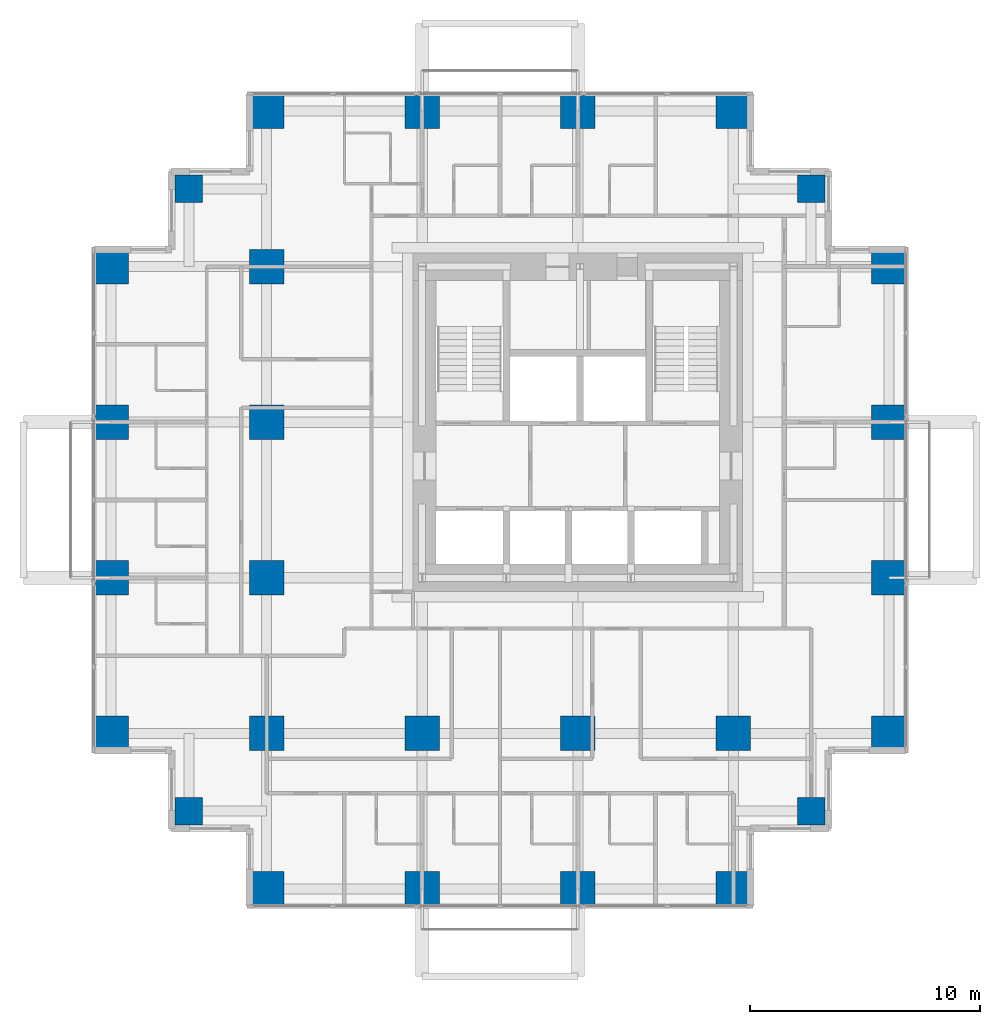
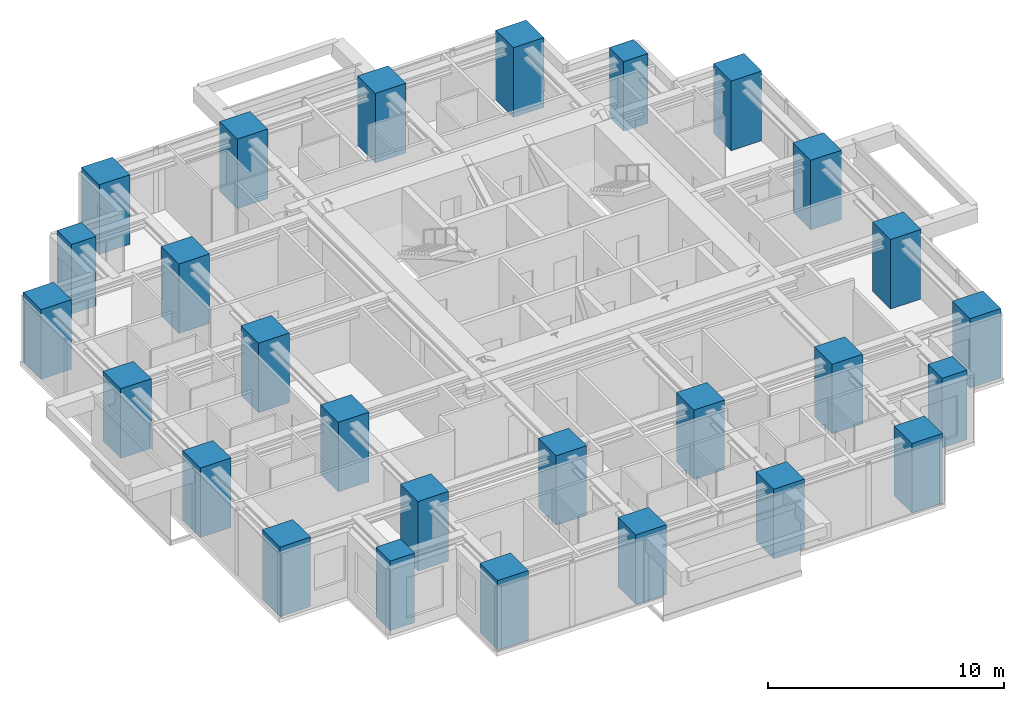
# One storey, part 1 of 11: 27 columns.
"""IFC4 building model written with IfcOpenShell, lengths in metres."""

from ifc_helpers import new_model, si_unit, direction, frame, origin, origin_2d, place, context, subcontext, project, spatial, rectangle, extrude, material, material_profile, profile_set, type_object, element, save


model = new_model("IFC4")

# Units and contexts
model_context = context("Model", 3, precision=1e-05, world=origin(), true_north=direction((0.0, 1.0)))
body_context = subcontext(model_context, "Body", "Model", "MODEL_VIEW")
ifc_project = project(units=[si_unit("LENGTHUNIT", "METRE"), si_unit("AREAUNIT", "SQUARE_METRE"), si_unit("VOLUMEUNIT", "CUBIC_METRE"), si_unit("PLANEANGLEUNIT", "RADIAN"), si_unit("MASSUNIT", "GRAM", prefix="KILO")], contexts=[model_context])

# Site, building, storey
site_placement = place(None, origin())
site = spatial("IfcSite", under=ifc_project, at=site_placement, CompositionType="ELEMENT")
building_placement = place(site_placement, origin())
building = spatial("IfcBuilding", under=site, at=building_placement, Name="Nyansa Garden Tower", CompositionType="ELEMENT")
storey_placement = place(building_placement, frame((0.0, 0.0, 160.199951171875)))
storey = spatial("IfcBuildingStorey", under=building, at=storey_placement, Name="L43", CompositionType="ELEMENT", Elevation=160.199951171875)

# Columns
ifc_material_1 = material(Name="Concrete C70/85", Category="concrete")
ifc_material_profile_1 = material_profile(ifc_material_1, rectangle(XDim=1.199951171875, YDim=1.199951171875, at=origin_2d()), Name="RC 1200x1200")
ifc_profile_set_1 = profile_set([ifc_material_profile_1], Name="Concrete C70/85")
column_type_1 = type_object("IfcColumnType", Name="Column C120 RC 1200x1200", PredefinedType="COLUMN", material=ifc_profile_set_1)
for number, where, z_axis, x_axis, name in (
    (1, (3.375, 3.375, 0.0), (0.0, 0.0, 1.0), (1.0, 0.0, 0.0), "Column x3.375/y3.375 L43"),
    (2, (3.375, 30.375, 0.0), (0.0, 0.0, 1.0), (1.0, 0.0, 0.0), "Column x3.375/y30.375 L43"),
    (3, (30.375, 3.375, 0.0), (0.0, 0.0, 1.0), (1.0, 0.0, 0.0), "Column x30.375/y3.375 L43"),
    (4, (30.375, 30.375, 0.0), (0.0, 0.0, 1.0), (1.0, 0.0, 0.0), "Column x30.375/y30.375 L43"),
):
    element("IfcColumn", number, at=place(storey_placement, frame(where, z_axis=z_axis, x_axis=x_axis)), inside=storey, type_object=column_type_1, Name=name, PredefinedType="COLUMN", context=body_context, shape_type="SweptSolid", body=[
        extrude(rectangle(XDim=1.199951171875, YDim=1.199951171875, at=origin_2d()), origin(), (0.0, 0.0, 1.0), 3.60009765625),
    ])
ifc_material_2 = material(Name="Concrete C80/95", Category="concrete")
ifc_material_profile_2 = material_profile(ifc_material_2, rectangle(XDim=1.5, YDim=1.5, at=origin_2d()), Name="RC 1500x1500")
ifc_profile_set_2 = profile_set([ifc_material_profile_2], Name="Concrete C80/95")
column_type_2 = type_object("IfcColumnType", Name="Column C150 RC 1500x1500", PredefinedType="COLUMN", material=ifc_profile_set_2)
for number, where, z_axis, x_axis, name in (
    (5, (0.0, 6.75, 0.0), (0.0, 0.0, 1.0), (1.0, 0.0, 0.0), "Column 2/E L43"),
    (6, (0.0, 13.5, 0.0), (0.0, 0.0, 1.0), (1.0, 0.0, 0.0), "Column 2/F L43"),
    (7, (0.0, 20.25, 0.0), (0.0, 0.0, 1.0), (1.0, 0.0, 0.0), "Column 2/G L43"),
    (8, (0.0, 27.0, 0.0), (0.0, 0.0, 1.0), (1.0, 0.0, 0.0), "Column 2/H L43"),
    (9, (6.75, 0.0, 0.0), (0.0, 0.0, 1.0), (1.0, 0.0, 0.0), "Column 3/D L43"),
    (10, (6.75, 6.75, 0.0), (0.0, 0.0, 1.0), (1.0, 0.0, 0.0), "Column 3/E L43"),
    (11, (6.75, 13.5, 0.0), (0.0, 0.0, 1.0), (1.0, 0.0, 0.0), "Column 3/F L43"),
    (12, (6.75, 20.25, 0.0), (0.0, 0.0, 1.0), (1.0, 0.0, 0.0), "Column 3/G L43"),
    (13, (6.75, 27.0, 0.0), (0.0, 0.0, 1.0), (1.0, 0.0, 0.0), "Column 3/H L43"),
    (14, (6.75, 33.75, 0.0), (0.0, 0.0, 1.0), (1.0, 0.0, 0.0), "Column 3/J L43"),
    (15, (13.5, 0.0, 0.0), (0.0, 0.0, 1.0), (1.0, 0.0, 0.0), "Column 4/D L43"),
    (16, (13.5, 6.75, 0.0), (0.0, 0.0, 1.0), (1.0, 0.0, 0.0), "Column 4/E L43"),
    (17, (13.5, 33.75, 0.0), (0.0, 0.0, 1.0), (1.0, 0.0, 0.0), "Column 4/J L43"),
    (18, (20.25, 0.0, 0.0), (0.0, 0.0, 1.0), (1.0, 0.0, 0.0), "Column 5/D L43"),
    (19, (20.25, 6.75, 0.0), (0.0, 0.0, 1.0), (1.0, 0.0, 0.0), "Column 5/E L43"),
    (20, (20.25, 33.75, 0.0), (0.0, 0.0, 1.0), (1.0, 0.0, 0.0), "Column 5/J L43"),
    (21, (27.0, 0.0, 0.0), (0.0, 0.0, 1.0), (1.0, 0.0, 0.0), "Column 6/D L43"),
    (22, (27.0, 6.75, 0.0), (0.0, 0.0, 1.0), (1.0, 0.0, 0.0), "Column 6/E L43"),
    (23, (27.0, 33.75, 0.0), (0.0, 0.0, 1.0), (1.0, 0.0, 0.0), "Column 6/J L43"),
    (24, (33.75, 6.75, 0.0), (0.0, 0.0, 1.0), (1.0, 0.0, 0.0), "Column 7/E L43"),
    (25, (33.75, 13.5, 0.0), (0.0, 0.0, 1.0), (1.0, 0.0, 0.0), "Column 7/F L43"),
    (26, (33.75, 20.25, 0.0), (0.0, 0.0, 1.0), (1.0, 0.0, 0.0), "Column 7/G L43"),
    (27, (33.75, 27.0, 0.0), (0.0, 0.0, 1.0), (1.0, 0.0, 0.0), "Column 7/H L43"),
):
    element("IfcColumn", number, at=place(storey_placement, frame(where, z_axis=z_axis, x_axis=x_axis)), inside=storey, type_object=column_type_2, Name=name, PredefinedType="COLUMN", context=body_context, shape_type="SweptSolid", body=[
        extrude(rectangle(XDim=1.5, YDim=1.5, at=origin_2d()), origin(), (0.0, 0.0, 1.0), 3.60009765625),
    ])

save(model, "model.ifc")
